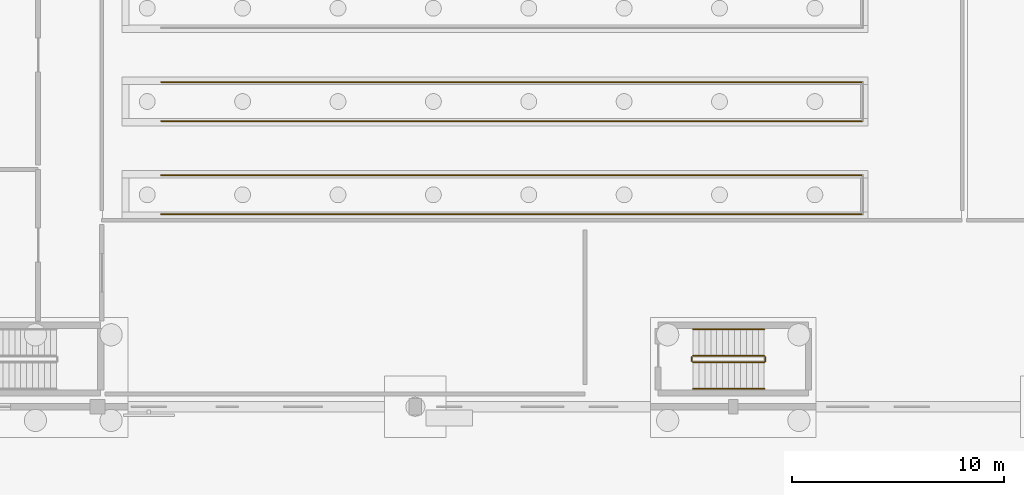
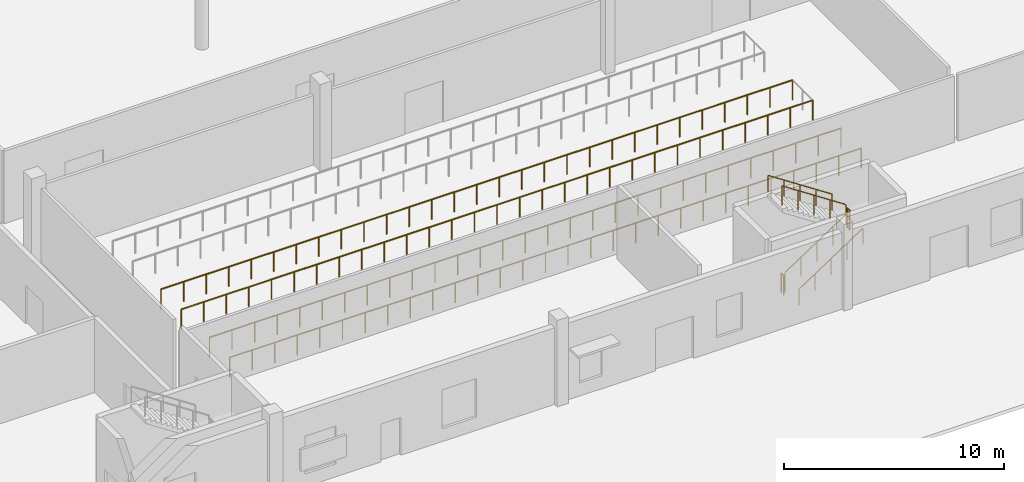
# One storey, part 270 of 285: 10 railings.
"""IFC4 building model written with IfcOpenShell, lengths in metres."""

import ifcopenshell
import ifcopenshell.guid

model = None  # the IFC model being written
_history = None  # IfcOwnerHistory: only IFC2X3 demands one
_inside = {}  # id of a spatial element -> (the spatial element, [elements in it])
_under = {}  # id of a project, library or spatial element -> (it, [spatial elements below it])
_declared = {}  # id of a project -> (the project, [libraries it declares])
_typed = {}  # id of a type object -> (the type object, [elements of that type])
_made_of = {}  # id of a material, layer set ... -> (it, [elements and type objects made of it])


def new_model(schema):
    """Start an empty IFC model of exactly this schema.

    Asked for "IFC4X3", IfcOpenShell would pick the latest addendum, in which some entities
    have other attributes; the version numbers below select the first issue.
    IFC2X3 requires an IfcOwnerHistory on every rooted entity: one is made here for all.
    """
    global model, _history
    if schema == "IFC4X3":
        model = ifcopenshell.file(schema_version=(4, 3, 0, 0))
    else:
        model = ifcopenshell.file(schema=schema)
    _inside.clear()
    _under.clear()
    _declared.clear()
    _typed.clear()
    _made_of.clear()
    _history = None
    if model.schema == "IFC2X3":
        org = make("IfcOrganization", Name="unknown")
        user = make(
            "IfcPersonAndOrganization",
            ThePerson=make("IfcPerson", FamilyName="unknown"),
            TheOrganization=org,
        )
        app = make(
            "IfcApplication",
            ApplicationDeveloper=org,
            Version="unknown",
            ApplicationFullName="unknown",
            ApplicationIdentifier="unknown",
        )
        _history = make(
            "IfcOwnerHistory",
            OwningUser=user,
            OwningApplication=app,
            ChangeAction="ADDED",
            CreationDate=0,
        )
    return model


def make(cls, **values):
    """One entity of the class cls with the attributes given. An attribute that is None is left unset."""
    return model.create_entity(
        cls, **{name: value for name, value in values.items() if value is not None}
    )


def rooted(cls, **values):
    """An entity with a GlobalId (a new one), such as an element, a storey or a relation."""
    return make(cls, GlobalId=ifcopenshell.guid.new(), OwnerHistory=_history, **values)


def si_unit(unit_type, name, prefix=None):
    """IfcSIUnit, for example si_unit("LENGTHUNIT", "METRE", prefix="MILLI")."""
    return make("IfcSIUnit", UnitType=unit_type, Prefix=prefix, Name=name)


def assignment(units):
    """IfcUnitAssignment: the units of a project."""
    return None if units is None else make("IfcUnitAssignment", Units=units)


def point(xyz):
    """IfcCartesianPoint."""
    return None if xyz is None else make("IfcCartesianPoint", Coordinates=xyz)


def direction(xyz):
    """IfcDirection."""
    return None if xyz is None else make("IfcDirection", DirectionRatios=xyz)


def frame(location, z_axis=None, x_axis=None):
    """IfcAxis2Placement3D, a coordinate frame: its origin and axes. An axis left out is left unset."""
    return make(
        "IfcAxis2Placement3D",
        Location=point(location),
        Axis=direction(z_axis),
        RefDirection=direction(x_axis),
    )


def frame_2d(location, x_axis=None):
    """IfcAxis2Placement2D, a coordinate frame in the plane: its origin and x axis."""
    return make(
        "IfcAxis2Placement2D", Location=point(location), RefDirection=direction(x_axis)
    )


def origin():
    """The frame at (0, 0, 0) with its axes left unset."""
    return frame((0.0, 0.0, 0.0))


def origin_2d():
    """The frame at (0, 0) in the plane with its x axis left unset."""
    return frame_2d((0.0, 0.0))


def place(relative_to, where):
    """IfcLocalPlacement: puts the frame where relative to a parent placement (None: the world)."""
    return make(
        "IfcLocalPlacement", PlacementRelTo=relative_to, RelativePlacement=where
    )


def context(
    kind, dimensions, precision=None, world=None, true_north=None, identifier=None
):
    """IfcGeometricRepresentationContext, for example the 3D "Model" context."""
    return make(
        "IfcGeometricRepresentationContext",
        ContextIdentifier=identifier,
        ContextType=kind,
        CoordinateSpaceDimension=dimensions,
        Precision=precision,
        WorldCoordinateSystem=world,
        TrueNorth=true_north,
    )


def subcontext(parent, identifier, kind, view, scale=None):
    """IfcGeometricRepresentationSubContext, for example "Body" below "Model"."""
    return make(
        "IfcGeometricRepresentationSubContext",
        ContextIdentifier=identifier,
        ContextType=kind,
        ParentContext=parent,
        TargetScale=scale,
        TargetView=view,
    )


def project(units=None, contexts=None):
    """IfcProject with its units and contexts."""
    return rooted(
        "IfcProject",
        Name="project",
        RepresentationContexts=contexts,
        UnitsInContext=assignment(units),
    )


def spatial(cls, under=None, at=None, **own):
    """A site, building, storey or space (cls), placed at a placement, below another one or the project."""
    s = rooted(cls, ObjectPlacement=at, **own)
    if under is not None:
        _under.setdefault(under.id(), (under, []))[1].append(s)
    return s


def profile(cls, at=None, kind="AREA", **sizes):
    """A parametric profile (cls). Its sizes go by their IFC names, for example OverallWidth=200.0."""
    return make(cls, ProfileType=kind, Position=at, **sizes)


def circle(**sizes):
    """IfcCircleProfileDef."""
    return profile("IfcCircleProfileDef", **sizes)


def extrude(swept, where, along, depth):
    """IfcExtrudedAreaSolid: the profile swept, set in the frame where, extruded along a direction by depth."""
    return make(
        "IfcExtrudedAreaSolid",
        SweptArea=swept,
        Position=where,
        ExtrudedDirection=direction(along),
        Depth=depth,
    )


def shape(context_of_items, identifier, shape_type, items):
    """IfcShapeRepresentation: the items that make up one representation, for example the "Body"."""
    return make(
        "IfcShapeRepresentation",
        ContextOfItems=context_of_items,
        RepresentationIdentifier=identifier,
        RepresentationType=shape_type,
        Items=items,
    )


def material(Name=None, Category=None):
    """IfcMaterial."""
    return make("IfcMaterial", Name=Name, Category=Category)


def layer(
    of_material, thickness, ventilated=None, Name=None, Category=None, Priority=None
):
    """IfcMaterialLayer: one layer of a wall or slab, of a material (None: an air gap)."""
    return make(
        "IfcMaterialLayer",
        Material=of_material,
        LayerThickness=thickness,
        IsVentilated=ventilated,
        Name=Name,
        Category=Category,
        Priority=Priority,
    )


def layer_set(layers, Name=None):
    """IfcMaterialLayerSet."""
    return make("IfcMaterialLayerSet", MaterialLayers=layers, LayerSetName=Name)


def made_of(thing, what):
    """Note that an element or type object is made of a material, layer set ...; save() writes the relation."""
    if what is not None:
        _made_of.setdefault(what.id(), (what, []))[1].append(thing)
    return thing


def type_object(cls, material=None, **own):
    """A type object (cls), such as IfcWallType, which elements share."""
    return made_of(rooted(cls, **own), material)


def element(
    cls,
    number,
    at=None,
    inside=None,
    cuts=None,
    type_object=None,
    material=None,
    context=None,
    identifier="Body",
    shape_type=None,
    held_by="IfcProductDefinitionShape",
    body=None,
    shapes=None,
    **own,
):
    """One element of the class cls, such as IfcWall. Its Tag is "e" and its number.

    at: its placement. inside: the storey or other place that contains it. cuts: it is an
    opening in that element (IfcRelVoidsElement). A single representation is given by context,
    identifier, shape_type and body (its items); several are given by shapes. held_by: the class
    of the entity that holds the representations. save() writes the other relations.
    """
    e = rooted(cls, Tag="e%d" % number, ObjectPlacement=at, **own)
    if body is not None:
        shapes = [shape(context, identifier, shape_type, body)]
    if shapes is not None:
        e.Representation = make(held_by, Representations=shapes)
    if inside is not None:
        _inside.setdefault(inside.id(), (inside, []))[1].append(e)
    if cuts is not None:
        rooted(
            "IfcRelVoidsElement", RelatingBuildingElement=cuts, RelatedOpeningElement=e
        )
    if type_object is not None:
        _typed.setdefault(type_object.id(), (type_object, []))[1].append(e)
    return made_of(e, material)


def aggregate(whole, parts):
    """IfcRelAggregates: a whole, such as a stair, and the parts it consists of."""
    return rooted("IfcRelAggregates", RelatingObject=whole, RelatedObjects=parts)


def save(model, path):
    """Write the relations noted so far, then the file.

    IfcRelAggregates (storeys below a building ...), IfcRelContainedInSpatialStructure (elements
    in a storey), IfcRelDefinesByType, IfcRelAssociatesMaterial and IfcRelDeclares: one each for
    every whole, place, type object, material and project.
    """
    for whole, parts in _under.values():
        aggregate(whole, parts)
    for where, things in _inside.values():
        rooted(
            "IfcRelContainedInSpatialStructure",
            RelatedElements=things,
            RelatingStructure=where,
        )
    for kind, things in _typed.values():
        rooted("IfcRelDefinesByType", RelatedObjects=things, RelatingType=kind)
    for what, things in _made_of.values():
        rooted("IfcRelAssociatesMaterial", RelatedObjects=things, RelatingMaterial=what)
    for by, libraries in _declared.values():
        rooted("IfcRelDeclares", RelatingContext=by, RelatedDefinitions=libraries)
    model.write(path)


model = new_model("IFC4")

# Units and contexts
model_context = context("Model", 3, precision=1e-05, world=origin(), true_north=direction((0.0, 1.0)))
body_context = subcontext(model_context, "Body", "Model", "MODEL_VIEW")
ifc_project = project(units=[si_unit("LENGTHUNIT", "METRE"), si_unit("AREAUNIT", "SQUARE_METRE"), si_unit("VOLUMEUNIT", "CUBIC_METRE"), si_unit("PLANEANGLEUNIT", "RADIAN"), si_unit("MASSUNIT", "GRAM", prefix="KILO")], contexts=[model_context])

# Site, building, storey
site_placement = place(None, origin())
site = spatial("IfcSite", under=ifc_project, at=site_placement, CompositionType="ELEMENT")
building_placement = place(site_placement, origin())
building = spatial("IfcBuilding", under=site, at=building_placement, Name="Solanera Park Tramway Depot", CompositionType="ELEMENT")
storey_placement = place(building_placement, origin())
storey = spatial("IfcBuildingStorey", under=building, at=storey_placement, Name="L00", CompositionType="ELEMENT", Elevation=0.0)

# Railings
ifc_material_1 = material(Name="Steel AS/NZS 1163 Grade C350L0", Category="steel")
ifc_layer_1 = layer(ifc_material_1, 0.06005859375)
ifc_layer_set_1 = layer_set([ifc_layer_1], Name="Steel AS/NZS 1163 Grade C350L0")
railing_type_1 = type_object("IfcRailingType", Name="Industrial Safety Edge Guardrail 1120", PredefinedType="GUARDRAIL", material=ifc_layer_set_1)
railing_1_placement = place(storey_placement, frame((18.0, 19.8798828125, 0.0)))
element("IfcRailing", 1, at=railing_1_placement, inside=storey, type_object=railing_type_1, Name="Pit Safety Guardrail PIT-01 #060", PredefinedType="GUARDRAIL", context=body_context, shape_type="SweptSolid", body=[
    extrude(circle(Radius=0.02392578125, at=origin_2d()), frame((0.0, 0.0, 1.09619140625), z_axis=(1.0, 0.0, 0.0), x_axis=(0.0, 1.0, 0.0)), (0.0, 0.0, 1.0), 33.1201171875),
    extrude(circle(Radius=0.02099609375, at=origin_2d()), origin(), (0.0, 0.0, 1.0), 1.072021484375),
    extrude(circle(Radius=0.02099609375, at=origin_2d()), frame((1.182861328125, 0.0, 0.0)), (0.0, 0.0, 1.0), 1.072021484375),
    extrude(circle(Radius=0.02099609375, at=origin_2d()), frame((2.36572265625, 0.0, 0.0)), (0.0, 0.0, 1.0), 1.072021484375),
    extrude(circle(Radius=0.02099609375, at=origin_2d()), frame((3.548583984375, 0.0, 0.0)), (0.0, 0.0, 1.0), 1.072021484375),
    extrude(circle(Radius=0.02099609375, at=origin_2d()), frame((4.7314453125, 0.0, 0.0)), (0.0, 0.0, 1.0), 1.072021484375),
    extrude(circle(Radius=0.02099609375, at=origin_2d()), frame((5.914306640625, 0.0, 0.0)), (0.0, 0.0, 1.0), 1.072021484375),
    extrude(circle(Radius=0.02099609375, at=origin_2d()), frame((7.09716796875, 0.0, 0.0)), (0.0, 0.0, 1.0), 1.072021484375),
    extrude(circle(Radius=0.02099609375, at=origin_2d()), frame((8.280029296875, 0.0, 0.0)), (0.0, 0.0, 1.0), 1.072021484375),
    extrude(circle(Radius=0.02099609375, at=origin_2d()), frame((9.462890625, 0.0, 0.0)), (0.0, 0.0, 1.0), 1.072021484375),
    extrude(circle(Radius=0.02099609375, at=origin_2d()), frame((10.645751953125, 0.0, 0.0)), (0.0, 0.0, 1.0), 1.072021484375),
    extrude(circle(Radius=0.02099609375, at=origin_2d()), frame((11.82861328125, 0.0, 0.0)), (0.0, 0.0, 1.0), 1.072021484375),
    extrude(circle(Radius=0.02099609375, at=origin_2d()), frame((13.011474609375, 0.0, 0.0)), (0.0, 0.0, 1.0), 1.072021484375),
    extrude(circle(Radius=0.02099609375, at=origin_2d()), frame((14.1943359375, 0.0, 0.0)), (0.0, 0.0, 1.0), 1.072021484375),
    extrude(circle(Radius=0.02099609375, at=origin_2d()), frame((15.377197265625, 0.0, 0.0)), (0.0, 0.0, 1.0), 1.072021484375),
    extrude(circle(Radius=0.02099609375, at=origin_2d()), frame((16.56005859375, 0.0, 0.0)), (0.0, 0.0, 1.0), 1.072021484375),
    extrude(circle(Radius=0.02099609375, at=origin_2d()), frame((17.742919921875, 0.0, 0.0)), (0.0, 0.0, 1.0), 1.072021484375),
    extrude(circle(Radius=0.02099609375, at=origin_2d()), frame((18.92578125, 0.0, 0.0)), (0.0, 0.0, 1.0), 1.072021484375),
    extrude(circle(Radius=0.02099609375, at=origin_2d()), frame((20.108642578125, 0.0, 0.0)), (0.0, 0.0, 1.0), 1.072021484375),
    extrude(circle(Radius=0.02099609375, at=origin_2d()), frame((21.29150390625, 0.0, 0.0)), (0.0, 0.0, 1.0), 1.072021484375),
    extrude(circle(Radius=0.02099609375, at=origin_2d()), frame((22.474365234375, 0.0, 0.0)), (0.0, 0.0, 1.0), 1.072021484375),
    extrude(circle(Radius=0.02099609375, at=origin_2d()), frame((23.6572265625, 0.0, 0.0)), (0.0, 0.0, 1.0), 1.072021484375),
    extrude(circle(Radius=0.02099609375, at=origin_2d()), frame((24.840087890625, 0.0, 0.0)), (0.0, 0.0, 1.0), 1.072021484375),
    extrude(circle(Radius=0.02099609375, at=origin_2d()), frame((26.02294921875, 0.0, 0.0)), (0.0, 0.0, 1.0), 1.072021484375),
    extrude(circle(Radius=0.02099609375, at=origin_2d()), frame((27.205810546875, 0.0, 0.0)), (0.0, 0.0, 1.0), 1.072021484375),
    extrude(circle(Radius=0.02099609375, at=origin_2d()), frame((28.388671875, 0.0, 0.0)), (0.0, 0.0, 1.0), 1.072021484375),
    extrude(circle(Radius=0.02099609375, at=origin_2d()), frame((29.571533203125, 0.0, 0.0)), (0.0, 0.0, 1.0), 1.072021484375),
    extrude(circle(Radius=0.02099609375, at=origin_2d()), frame((30.75439453125, 0.0, 0.0)), (0.0, 0.0, 1.0), 1.072021484375),
    extrude(circle(Radius=0.02099609375, at=origin_2d()), frame((31.937255859375, 0.0, 0.0)), (0.0, 0.0, 1.0), 1.072021484375),
    extrude(circle(Radius=0.02099609375, at=origin_2d()), frame((33.1201171875, 0.0, 0.0)), (0.0, 0.0, 1.0), 1.072021484375),
])
railing_2_placement = place(storey_placement, frame((51.1201171875, 21.719970703125, 0.0)))
element("IfcRailing", 2, at=railing_2_placement, inside=storey, type_object=railing_type_1, Name="Pit Safety Guardrail PIT-01 #062", PredefinedType="GUARDRAIL", context=body_context, shape_type="SweptSolid", body=[
    extrude(circle(Radius=0.02392578125, at=origin_2d()), frame((0.0, 0.0, 1.09619140625), z_axis=(-1.0, 0.0, 0.0), x_axis=(0.0, -1.0, 0.0)), (0.0, 0.0, 1.0), 33.1201171875),
    extrude(circle(Radius=0.02099609375, at=origin_2d()), origin(), (0.0, 0.0, 1.0), 1.072021484375),
    extrude(circle(Radius=0.02099609375, at=origin_2d()), frame((-1.182861328125, 0.0, 0.0)), (0.0, 0.0, 1.0), 1.072021484375),
    extrude(circle(Radius=0.02099609375, at=origin_2d()), frame((-2.36572265625, 0.0, 0.0)), (0.0, 0.0, 1.0), 1.072021484375),
    extrude(circle(Radius=0.02099609375, at=origin_2d()), frame((-3.548583984375, 0.0, 0.0)), (0.0, 0.0, 1.0), 1.072021484375),
    extrude(circle(Radius=0.02099609375, at=origin_2d()), frame((-4.7314453125, 0.0, 0.0)), (0.0, 0.0, 1.0), 1.072021484375),
    extrude(circle(Radius=0.02099609375, at=origin_2d()), frame((-5.914306640625, 0.0, 0.0)), (0.0, 0.0, 1.0), 1.072021484375),
    extrude(circle(Radius=0.02099609375, at=origin_2d()), frame((-7.09716796875, 0.0, 0.0)), (0.0, 0.0, 1.0), 1.072021484375),
    extrude(circle(Radius=0.02099609375, at=origin_2d()), frame((-8.280029296875, 0.0, 0.0)), (0.0, 0.0, 1.0), 1.072021484375),
    extrude(circle(Radius=0.02099609375, at=origin_2d()), frame((-9.462890625, 0.0, 0.0)), (0.0, 0.0, 1.0), 1.072021484375),
    extrude(circle(Radius=0.02099609375, at=origin_2d()), frame((-10.645751953125, 0.0, 0.0)), (0.0, 0.0, 1.0), 1.072021484375),
    extrude(circle(Radius=0.02099609375, at=origin_2d()), frame((-11.82861328125, 0.0, 0.0)), (0.0, 0.0, 1.0), 1.072021484375),
    extrude(circle(Radius=0.02099609375, at=origin_2d()), frame((-13.011474609375, 0.0, 0.0)), (0.0, 0.0, 1.0), 1.072021484375),
    extrude(circle(Radius=0.02099609375, at=origin_2d()), frame((-14.1943359375, 0.0, 0.0)), (0.0, 0.0, 1.0), 1.072021484375),
    extrude(circle(Radius=0.02099609375, at=origin_2d()), frame((-15.377197265625, 0.0, 0.0)), (0.0, 0.0, 1.0), 1.072021484375),
    extrude(circle(Radius=0.02099609375, at=origin_2d()), frame((-16.56005859375, 0.0, 0.0)), (0.0, 0.0, 1.0), 1.072021484375),
    extrude(circle(Radius=0.02099609375, at=origin_2d()), frame((-17.742919921875, 0.0, 0.0)), (0.0, 0.0, 1.0), 1.072021484375),
    extrude(circle(Radius=0.02099609375, at=origin_2d()), frame((-18.92578125, 0.0, 0.0)), (0.0, 0.0, 1.0), 1.072021484375),
    extrude(circle(Radius=0.02099609375, at=origin_2d()), frame((-20.108642578125, 0.0, 0.0)), (0.0, 0.0, 1.0), 1.072021484375),
    extrude(circle(Radius=0.02099609375, at=origin_2d()), frame((-21.29150390625, 0.0, 0.0)), (0.0, 0.0, 1.0), 1.072021484375),
    extrude(circle(Radius=0.02099609375, at=origin_2d()), frame((-22.474365234375, 0.0, 0.0)), (0.0, 0.0, 1.0), 1.072021484375),
    extrude(circle(Radius=0.02099609375, at=origin_2d()), frame((-23.6572265625, 0.0, 0.0)), (0.0, 0.0, 1.0), 1.072021484375),
    extrude(circle(Radius=0.02099609375, at=origin_2d()), frame((-24.840087890625, 0.0, 0.0)), (0.0, 0.0, 1.0), 1.072021484375),
    extrude(circle(Radius=0.02099609375, at=origin_2d()), frame((-26.02294921875, 0.0, 0.0)), (0.0, 0.0, 1.0), 1.072021484375),
    extrude(circle(Radius=0.02099609375, at=origin_2d()), frame((-27.205810546875, 0.0, 0.0)), (0.0, 0.0, 1.0), 1.072021484375),
    extrude(circle(Radius=0.02099609375, at=origin_2d()), frame((-28.388671875, 0.0, 0.0)), (0.0, 0.0, 1.0), 1.072021484375),
    extrude(circle(Radius=0.02099609375, at=origin_2d()), frame((-29.571533203125, 0.0, 0.0)), (0.0, 0.0, 1.0), 1.072021484375),
    extrude(circle(Radius=0.02099609375, at=origin_2d()), frame((-30.75439453125, 0.0, 0.0)), (0.0, 0.0, 1.0), 1.072021484375),
    extrude(circle(Radius=0.02099609375, at=origin_2d()), frame((-31.937255859375, 0.0, 0.0)), (0.0, 0.0, 1.0), 1.072021484375),
    extrude(circle(Radius=0.02099609375, at=origin_2d()), frame((-33.1201171875, 0.0, 0.0)), (0.0, 0.0, 1.0), 1.072021484375),
])
railing_3_placement = place(storey_placement, frame((18.0, 24.280029296875, 0.0)))
element("IfcRailing", 3, at=railing_3_placement, inside=storey, type_object=railing_type_1, Name="Pit Safety Guardrail PIT-02 #063", PredefinedType="GUARDRAIL", context=body_context, shape_type="SweptSolid", body=[
    extrude(circle(Radius=0.02392578125, at=origin_2d()), frame((0.0, 0.0, 1.09619140625), z_axis=(1.0, 0.0, 0.0), x_axis=(0.0, 1.0, 0.0)), (0.0, 0.0, 1.0), 33.1201171875),
    extrude(circle(Radius=0.02099609375, at=origin_2d()), origin(), (0.0, 0.0, 1.0), 1.072021484375),
    extrude(circle(Radius=0.02099609375, at=origin_2d()), frame((1.182861328125, 0.0, 0.0)), (0.0, 0.0, 1.0), 1.072021484375),
    extrude(circle(Radius=0.02099609375, at=origin_2d()), frame((2.36572265625, 0.0, 0.0)), (0.0, 0.0, 1.0), 1.072021484375),
    extrude(circle(Radius=0.02099609375, at=origin_2d()), frame((3.548583984375, 0.0, 0.0)), (0.0, 0.0, 1.0), 1.072021484375),
    extrude(circle(Radius=0.02099609375, at=origin_2d()), frame((4.7314453125, 0.0, 0.0)), (0.0, 0.0, 1.0), 1.072021484375),
    extrude(circle(Radius=0.02099609375, at=origin_2d()), frame((5.914306640625, 0.0, 0.0)), (0.0, 0.0, 1.0), 1.072021484375),
    extrude(circle(Radius=0.02099609375, at=origin_2d()), frame((7.09716796875, 0.0, 0.0)), (0.0, 0.0, 1.0), 1.072021484375),
    extrude(circle(Radius=0.02099609375, at=origin_2d()), frame((8.280029296875, 0.0, 0.0)), (0.0, 0.0, 1.0), 1.072021484375),
    extrude(circle(Radius=0.02099609375, at=origin_2d()), frame((9.462890625, 0.0, 0.0)), (0.0, 0.0, 1.0), 1.072021484375),
    extrude(circle(Radius=0.02099609375, at=origin_2d()), frame((10.645751953125, 0.0, 0.0)), (0.0, 0.0, 1.0), 1.072021484375),
    extrude(circle(Radius=0.02099609375, at=origin_2d()), frame((11.82861328125, 0.0, 0.0)), (0.0, 0.0, 1.0), 1.072021484375),
    extrude(circle(Radius=0.02099609375, at=origin_2d()), frame((13.011474609375, 0.0, 0.0)), (0.0, 0.0, 1.0), 1.072021484375),
    extrude(circle(Radius=0.02099609375, at=origin_2d()), frame((14.1943359375, 0.0, 0.0)), (0.0, 0.0, 1.0), 1.072021484375),
    extrude(circle(Radius=0.02099609375, at=origin_2d()), frame((15.377197265625, 0.0, 0.0)), (0.0, 0.0, 1.0), 1.072021484375),
    extrude(circle(Radius=0.02099609375, at=origin_2d()), frame((16.56005859375, 0.0, 0.0)), (0.0, 0.0, 1.0), 1.072021484375),
    extrude(circle(Radius=0.02099609375, at=origin_2d()), frame((17.742919921875, 0.0, 0.0)), (0.0, 0.0, 1.0), 1.072021484375),
    extrude(circle(Radius=0.02099609375, at=origin_2d()), frame((18.92578125, 0.0, 0.0)), (0.0, 0.0, 1.0), 1.072021484375),
    extrude(circle(Radius=0.02099609375, at=origin_2d()), frame((20.108642578125, 0.0, 0.0)), (0.0, 0.0, 1.0), 1.072021484375),
    extrude(circle(Radius=0.02099609375, at=origin_2d()), frame((21.29150390625, 0.0, 0.0)), (0.0, 0.0, 1.0), 1.072021484375),
    extrude(circle(Radius=0.02099609375, at=origin_2d()), frame((22.474365234375, 0.0, 0.0)), (0.0, 0.0, 1.0), 1.072021484375),
    extrude(circle(Radius=0.02099609375, at=origin_2d()), frame((23.6572265625, 0.0, 0.0)), (0.0, 0.0, 1.0), 1.072021484375),
    extrude(circle(Radius=0.02099609375, at=origin_2d()), frame((24.840087890625, 0.0, 0.0)), (0.0, 0.0, 1.0), 1.072021484375),
    extrude(circle(Radius=0.02099609375, at=origin_2d()), frame((26.02294921875, 0.0, 0.0)), (0.0, 0.0, 1.0), 1.072021484375),
    extrude(circle(Radius=0.02099609375, at=origin_2d()), frame((27.205810546875, 0.0, 0.0)), (0.0, 0.0, 1.0), 1.072021484375),
    extrude(circle(Radius=0.02099609375, at=origin_2d()), frame((28.388671875, 0.0, 0.0)), (0.0, 0.0, 1.0), 1.072021484375),
    extrude(circle(Radius=0.02099609375, at=origin_2d()), frame((29.571533203125, 0.0, 0.0)), (0.0, 0.0, 1.0), 1.072021484375),
    extrude(circle(Radius=0.02099609375, at=origin_2d()), frame((30.75439453125, 0.0, 0.0)), (0.0, 0.0, 1.0), 1.072021484375),
    extrude(circle(Radius=0.02099609375, at=origin_2d()), frame((31.937255859375, 0.0, 0.0)), (0.0, 0.0, 1.0), 1.072021484375),
    extrude(circle(Radius=0.02099609375, at=origin_2d()), frame((33.1201171875, 0.0, 0.0)), (0.0, 0.0, 1.0), 1.072021484375),
])
railing_4_placement = place(storey_placement, frame((51.1201171875, 26.1201171875, 0.0)))
element("IfcRailing", 4, at=railing_4_placement, inside=storey, type_object=railing_type_1, Name="Pit Safety Guardrail PIT-02 #065", PredefinedType="GUARDRAIL", context=body_context, shape_type="SweptSolid", body=[
    extrude(circle(Radius=0.02392578125, at=origin_2d()), frame((0.0, 0.0, 1.09619140625), z_axis=(-1.0, 0.0, 0.0), x_axis=(0.0, -1.0, 0.0)), (0.0, 0.0, 1.0), 33.1201171875),
    extrude(circle(Radius=0.02099609375, at=origin_2d()), origin(), (0.0, 0.0, 1.0), 1.072021484375),
    extrude(circle(Radius=0.02099609375, at=origin_2d()), frame((-1.182861328125, 0.0, 0.0)), (0.0, 0.0, 1.0), 1.072021484375),
    extrude(circle(Radius=0.02099609375, at=origin_2d()), frame((-2.36572265625, 0.0, 0.0)), (0.0, 0.0, 1.0), 1.072021484375),
    extrude(circle(Radius=0.02099609375, at=origin_2d()), frame((-3.548583984375, 0.0, 0.0)), (0.0, 0.0, 1.0), 1.072021484375),
    extrude(circle(Radius=0.02099609375, at=origin_2d()), frame((-4.7314453125, 0.0, 0.0)), (0.0, 0.0, 1.0), 1.072021484375),
    extrude(circle(Radius=0.02099609375, at=origin_2d()), frame((-5.914306640625, 0.0, 0.0)), (0.0, 0.0, 1.0), 1.072021484375),
    extrude(circle(Radius=0.02099609375, at=origin_2d()), frame((-7.09716796875, 0.0, 0.0)), (0.0, 0.0, 1.0), 1.072021484375),
    extrude(circle(Radius=0.02099609375, at=origin_2d()), frame((-8.280029296875, 0.0, 0.0)), (0.0, 0.0, 1.0), 1.072021484375),
    extrude(circle(Radius=0.02099609375, at=origin_2d()), frame((-9.462890625, 0.0, 0.0)), (0.0, 0.0, 1.0), 1.072021484375),
    extrude(circle(Radius=0.02099609375, at=origin_2d()), frame((-10.645751953125, 0.0, 0.0)), (0.0, 0.0, 1.0), 1.072021484375),
    extrude(circle(Radius=0.02099609375, at=origin_2d()), frame((-11.82861328125, 0.0, 0.0)), (0.0, 0.0, 1.0), 1.072021484375),
    extrude(circle(Radius=0.02099609375, at=origin_2d()), frame((-13.011474609375, 0.0, 0.0)), (0.0, 0.0, 1.0), 1.072021484375),
    extrude(circle(Radius=0.02099609375, at=origin_2d()), frame((-14.1943359375, 0.0, 0.0)), (0.0, 0.0, 1.0), 1.072021484375),
    extrude(circle(Radius=0.02099609375, at=origin_2d()), frame((-15.377197265625, 0.0, 0.0)), (0.0, 0.0, 1.0), 1.072021484375),
    extrude(circle(Radius=0.02099609375, at=origin_2d()), frame((-16.56005859375, 0.0, 0.0)), (0.0, 0.0, 1.0), 1.072021484375),
    extrude(circle(Radius=0.02099609375, at=origin_2d()), frame((-17.742919921875, 0.0, 0.0)), (0.0, 0.0, 1.0), 1.072021484375),
    extrude(circle(Radius=0.02099609375, at=origin_2d()), frame((-18.92578125, 0.0, 0.0)), (0.0, 0.0, 1.0), 1.072021484375),
    extrude(circle(Radius=0.02099609375, at=origin_2d()), frame((-20.108642578125, 0.0, 0.0)), (0.0, 0.0, 1.0), 1.072021484375),
    extrude(circle(Radius=0.02099609375, at=origin_2d()), frame((-21.29150390625, 0.0, 0.0)), (0.0, 0.0, 1.0), 1.072021484375),
    extrude(circle(Radius=0.02099609375, at=origin_2d()), frame((-22.474365234375, 0.0, 0.0)), (0.0, 0.0, 1.0), 1.072021484375),
    extrude(circle(Radius=0.02099609375, at=origin_2d()), frame((-23.6572265625, 0.0, 0.0)), (0.0, 0.0, 1.0), 1.072021484375),
    extrude(circle(Radius=0.02099609375, at=origin_2d()), frame((-24.840087890625, 0.0, 0.0)), (0.0, 0.0, 1.0), 1.072021484375),
    extrude(circle(Radius=0.02099609375, at=origin_2d()), frame((-26.02294921875, 0.0, 0.0)), (0.0, 0.0, 1.0), 1.072021484375),
    extrude(circle(Radius=0.02099609375, at=origin_2d()), frame((-27.205810546875, 0.0, 0.0)), (0.0, 0.0, 1.0), 1.072021484375),
    extrude(circle(Radius=0.02099609375, at=origin_2d()), frame((-28.388671875, 0.0, 0.0)), (0.0, 0.0, 1.0), 1.072021484375),
    extrude(circle(Radius=0.02099609375, at=origin_2d()), frame((-29.571533203125, 0.0, 0.0)), (0.0, 0.0, 1.0), 1.072021484375),
    extrude(circle(Radius=0.02099609375, at=origin_2d()), frame((-30.75439453125, 0.0, 0.0)), (0.0, 0.0, 1.0), 1.072021484375),
    extrude(circle(Radius=0.02099609375, at=origin_2d()), frame((-31.937255859375, 0.0, 0.0)), (0.0, 0.0, 1.0), 1.072021484375),
    extrude(circle(Radius=0.02099609375, at=origin_2d()), frame((-33.1201171875, 0.0, 0.0)), (0.0, 0.0, 1.0), 1.072021484375),
])
ifc_material_2 = material(Name="Brushed stainless steel 316 handrail", Category="steel")
ifc_layer_2 = layer(ifc_material_2, 0.050048828125)
ifc_layer_set_2 = layer_set([ifc_layer_2], Name="Brushed stainless steel 316 handrail")
railing_type_2 = type_object("IfcRailingType", Name="Stair Pitch Tubular Handrail 920", PredefinedType="HANDRAIL", material=ifc_layer_set_2)
railing_5_placement = place(storey_placement, frame((43.10009765625, 11.64990234375, 0.1845703125)))
element("IfcRailing", 5, at=railing_5_placement, inside=storey, type_object=railing_type_2, Name="ST-12 L00 Pitch Handrail 1", PredefinedType="HANDRAIL", context=body_context, shape_type="SweptSolid", body=[
    extrude(circle(Radius=0.02392578125, at=origin_2d()), frame((0.0, 0.0, 0.89599609375), z_axis=(0.834858096282, 0.0, 0.550465220583), x_axis=(0.0, 1.0, 0.0)), (0.0, 0.0, 1.0), 4.0244140625),
    extrude(circle(Radius=0.02099609375, at=origin_2d()), origin(), (0.0, 0.0, 1.0), 0.871826171875),
    extrude(circle(Radius=0.02099609375, at=origin_2d()), frame((0.83984375, 0.0, 0.5537109375)), (0.0, 0.0, 1.0), 0.871826171875),
    extrude(circle(Radius=0.02099609375, at=origin_2d()), frame((1.679931640625, 0.0, 1.107666015625)), (0.0, 0.0, 1.0), 0.871826171875),
    extrude(circle(Radius=0.02099609375, at=origin_2d()), frame((2.52001953125, 0.0, 1.66162109375)), (0.0, 0.0, 1.0), 0.871826171875),
    extrude(circle(Radius=0.02099609375, at=origin_2d()), frame((3.35986328125, 0.0, 2.21533203125)), (0.0, 0.0, 1.0), 0.871826171875),
])
railing_6_placement = place(storey_placement, frame((46.4599609375, 14.449951171875, 2.584716796875)))
element("IfcRailing", 6, at=railing_6_placement, inside=storey, type_object=railing_type_2, Name="ST-12 L00 Pitch Handrail 2", PredefinedType="HANDRAIL", context=body_context, shape_type="SweptSolid", body=[
    extrude(circle(Radius=0.02392578125, at=origin_2d()), frame((0.0, 0.0, 0.89599609375), z_axis=(-0.834858096282, 0.0, 0.550465220583), x_axis=(0.0, -1.0, 0.0)), (0.0, 0.0, 1.0), 4.0244140625),
    extrude(circle(Radius=0.02099609375, at=origin_2d()), origin(), (0.0, 0.0, 1.0), 0.871826171875),
    extrude(circle(Radius=0.02099609375, at=origin_2d()), frame((-0.83984375, 0.0, 0.5537109375)), (0.0, 0.0, 1.0), 0.871826171875),
    extrude(circle(Radius=0.02099609375, at=origin_2d()), frame((-1.679931640625, 0.0, 1.107666015625)), (0.0, 0.0, 1.0), 0.871826171875),
    extrude(circle(Radius=0.02099609375, at=origin_2d()), frame((-2.52001953125, 0.0, 1.66162109375)), (0.0, 0.0, 1.0), 0.871826171875),
    extrude(circle(Radius=0.02099609375, at=origin_2d()), frame((-3.35986328125, 0.0, 2.21533203125)), (0.0, 0.0, 1.0), 0.871826171875),
])
ifc_material_3 = material(Name="Steel AS/NZS 1163 Grade C350L0", Category="steel")
ifc_layer_3 = layer(ifc_material_3, 0.06005859375)
ifc_layer_set_3 = layer_set([ifc_layer_3], Name="Steel AS/NZS 1163 Grade C350L0")
railing_type_3 = type_object("IfcRailingType", Name="Stairwell Guardrail 1100", PredefinedType="GUARDRAIL", material=ifc_layer_set_3)
railing_7_placement = place(storey_placement, frame((43.10009765625, 12.89990234375, 0.1845703125)))
element("IfcRailing", 7, at=railing_7_placement, inside=storey, type_object=railing_type_3, Name="ST-12 L00 Well Guard 1", PredefinedType="GUARDRAIL", context=body_context, shape_type="SweptSolid", body=[
    extrude(circle(Radius=0.02392578125, at=origin_2d()), frame((0.0, 0.0, 1.076171875), z_axis=(0.834858096282, 0.0, 0.550465220583), x_axis=(0.0, 1.0, 0.0)), (0.0, 0.0, 1.0), 4.0244140625),
    extrude(circle(Radius=0.02099609375, at=origin_2d()), origin(), (0.0, 0.0, 1.0), 1.052001953125),
    extrude(circle(Radius=0.02099609375, at=origin_2d()), frame((0.83984375, 0.0, 0.5537109375)), (0.0, 0.0, 1.0), 1.052001953125),
    extrude(circle(Radius=0.02099609375, at=origin_2d()), frame((1.679931640625, 0.0, 1.107666015625)), (0.0, 0.0, 1.0), 1.052001953125),
    extrude(circle(Radius=0.02099609375, at=origin_2d()), frame((2.52001953125, 0.0, 1.66162109375)), (0.0, 0.0, 1.0), 1.052001953125),
    extrude(circle(Radius=0.02099609375, at=origin_2d()), frame((3.35986328125, 0.0, 2.21533203125)), (0.0, 0.0, 1.0), 1.052001953125),
])
railing_8_placement = place(storey_placement, frame((46.510009765625, 12.949951171875, 2.39990234375)))
element("IfcRailing", 8, at=railing_8_placement, inside=storey, type_object=railing_type_3, Name="ST-12 L00 Well Guard 2", PredefinedType="GUARDRAIL", context=body_context, shape_type="SweptSolid", body=[
    extrude(circle(Radius=0.02392578125, at=origin_2d()), frame((0.0, 0.0, 1.076171875), z_axis=(0.0, 1.0, 0.0), x_axis=(-1.0, 0.0, 0.0)), (0.0, 0.0, 1.0), 0.199951171875),
    extrude(circle(Radius=0.02099609375, at=origin_2d()), origin(), (0.0, 0.0, 1.0), 1.052001953125),
    extrude(circle(Radius=0.02099609375, at=origin_2d()), frame((0.0, 0.199951171875, 0.0)), (0.0, 0.0, 1.0), 1.052001953125),
])
railing_9_placement = place(storey_placement, frame((46.4599609375, 13.199951171875, 2.584716796875)))
element("IfcRailing", 9, at=railing_9_placement, inside=storey, type_object=railing_type_3, Name="ST-12 L00 Well Guard 3", PredefinedType="GUARDRAIL", context=body_context, shape_type="SweptSolid", body=[
    extrude(circle(Radius=0.02392578125, at=origin_2d()), frame((0.0, 0.0, 1.076171875), z_axis=(-0.834858096282, 0.0, 0.550465220583), x_axis=(0.0, -1.0, 0.0)), (0.0, 0.0, 1.0), 4.0244140625),
    extrude(circle(Radius=0.02099609375, at=origin_2d()), origin(), (0.0, 0.0, 1.0), 1.052001953125),
    extrude(circle(Radius=0.02099609375, at=origin_2d()), frame((-0.83984375, 0.0, 0.5537109375)), (0.0, 0.0, 1.0), 1.052001953125),
    extrude(circle(Radius=0.02099609375, at=origin_2d()), frame((-1.679931640625, 0.0, 1.107666015625)), (0.0, 0.0, 1.0), 1.052001953125),
    extrude(circle(Radius=0.02099609375, at=origin_2d()), frame((-2.52001953125, 0.0, 1.66162109375)), (0.0, 0.0, 1.0), 1.052001953125),
    extrude(circle(Radius=0.02099609375, at=origin_2d()), frame((-3.35986328125, 0.0, 2.21533203125)), (0.0, 0.0, 1.0), 1.052001953125),
])
railing_10_placement = place(storey_placement, frame((43.050048828125, 12.949951171875, 0.0)))
element("IfcRailing", 10, at=railing_10_placement, inside=storey, type_object=railing_type_3, Name="ST-12 L00 Well Guard 4", PredefinedType="GUARDRAIL", context=body_context, shape_type="SweptSolid", body=[
    extrude(circle(Radius=0.02392578125, at=origin_2d()), frame((0.0, 0.0, 1.076171875), z_axis=(0.0, 1.0, 0.0), x_axis=(-1.0, 0.0, 0.0)), (0.0, 0.0, 1.0), 0.199951171875),
    extrude(circle(Radius=0.02099609375, at=origin_2d()), origin(), (0.0, 0.0, 1.0), 1.052001953125),
    extrude(circle(Radius=0.02099609375, at=origin_2d()), frame((0.0, 0.199951171875, 0.0)), (0.0, 0.0, 1.0), 1.052001953125),
])

save(model, "model.ifc")
